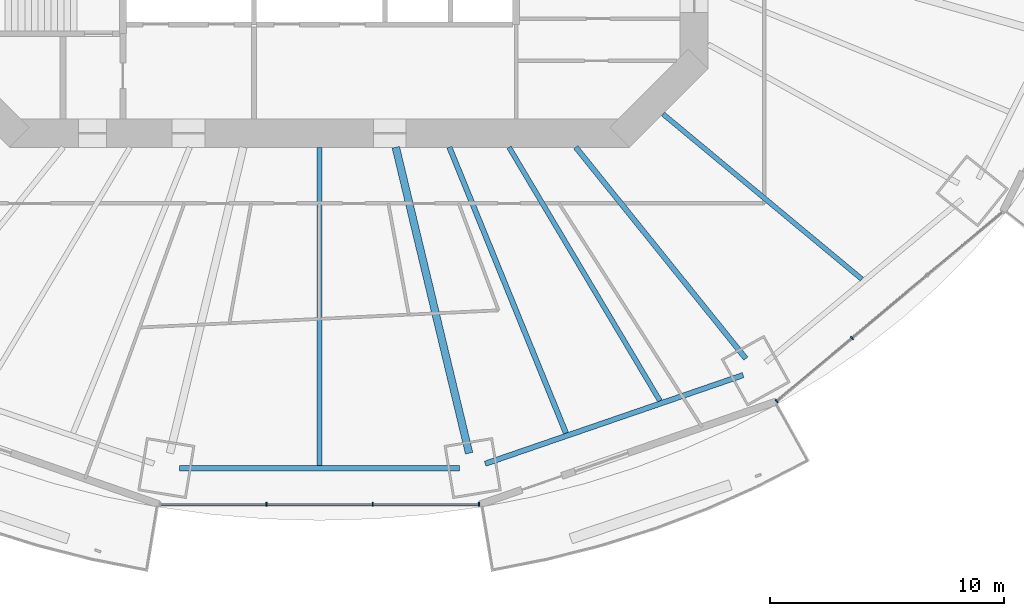
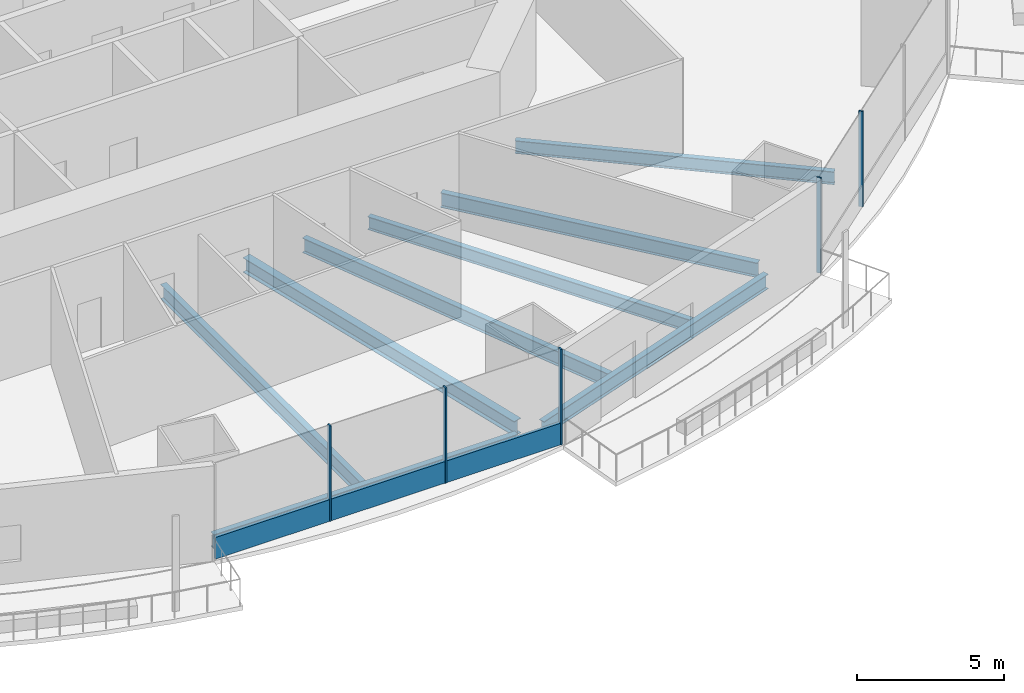
# One storey, part 4 of 22: 8 beams, 6 members, 2 elements without a shape of their own.
"""IFC4 building model written with IfcOpenShell, lengths in metres."""

from ifc_helpers import new_model, si_unit, direction, frame, origin, origin_2d, place, context, subcontext, project, spatial, rectangle, i_section, extrude, material, material_profile, profile_set, type_object, element, aggregate, save


model = new_model("IFC4")

# Units and contexts
model_context = context("Model", 3, precision=1e-05, world=origin(), true_north=direction((0.0, 1.0)))
body_context = subcontext(model_context, "Body", "Model", "MODEL_VIEW")
ifc_project = project(units=[si_unit("LENGTHUNIT", "METRE"), si_unit("AREAUNIT", "SQUARE_METRE"), si_unit("VOLUMEUNIT", "CUBIC_METRE"), si_unit("PLANEANGLEUNIT", "RADIAN"), si_unit("MASSUNIT", "GRAM", prefix="KILO")], contexts=[model_context])

# Site, building, storey
site_placement = place(None, origin())
site = spatial("IfcSite", under=ifc_project, at=site_placement, CompositionType="ELEMENT")
building_placement = place(site_placement, origin())
building = spatial("IfcBuilding", under=site, at=building_placement, Name="Marenthal Gate Tower", CompositionType="ELEMENT")
storey_placement = place(building_placement, frame((0.0, 0.0, 91.10009765625)))
storey = spatial("IfcBuildingStorey", under=building, at=storey_placement, Name="L18", CompositionType="ELEMENT", Elevation=91.10009765625)

# Curtain wall, members
ifc_material_1 = material(Name="Aluminium and glass", Category="aluminium")
curtain_wall_type = type_object("IfcCurtainWallType", Name="Curtain wall typical low", PredefinedType="NOTDEFINED", material=ifc_material_1)
curtain_wall_1_placement = place(storey_placement, origin())
curtain_wall_1 = element("IfcCurtainWall", 1, at=curtain_wall_1_placement, inside=storey, type_object=curtain_wall_type, Name="Curtain wall L18 bay 12", PredefinedType="NOTDEFINED")
ifc_material_2 = material(Name="Aluminium", Category="aluminium")
ifc_material_profile_1 = material_profile(ifc_material_2, rectangle(XDim=0.159912109375, YDim=0.06005859375, at=origin_2d()), Name="60x160 aluminium mullion")
ifc_profile_set_1 = profile_set([ifc_material_profile_1], Name="Aluminium")
member_type_1 = type_object("IfcMemberType", Name="Mullion 60x160 typical low", PredefinedType="MULLION", material=ifc_profile_set_1)
member_1_placement = place(storey_placement, frame((-2.273193359375, -28.852783203125, 0.0), z_axis=(0.0, 0.0, 1.0), x_axis=(0.0, 1.0, 0.0)))
member_1 = element("IfcMember", 2, at=member_1_placement, type_object=member_type_1, Name="Mullion L18 bay 12.2", PredefinedType="MULLION", context=body_context, shape_type="SweptSolid", body=[
    extrude(rectangle(XDim=0.159912109375, YDim=0.06005859375, at=origin_2d()), origin(), (0.0, 0.0, 1.0), 3.969970703125),
])
member_2_placement = place(storey_placement, frame((2.273193359375, -28.852783203125, 0.0), z_axis=(0.0, 0.0, 1.0), x_axis=(0.0, 1.0, 0.0)))
member_2 = element("IfcMember", 3, at=member_2_placement, type_object=member_type_1, Name="Mullion L18 bay 12.3", PredefinedType="MULLION", context=body_context, shape_type="SweptSolid", body=[
    extrude(rectangle(XDim=0.159912109375, YDim=0.06005859375, at=origin_2d()), origin(), (0.0, 0.0, 1.0), 3.969970703125),
])
member_3_placement = place(storey_placement, frame((6.81982421875, -28.852783203125, 0.0), z_axis=(0.0, 0.0, 1.0), x_axis=(0.0, 1.0, 0.0)))
member_3 = element("IfcMember", 4, at=member_3_placement, type_object=member_type_1, Name="Mullion L18 bay 12.4", PredefinedType="MULLION", context=body_context, shape_type="SweptSolid", body=[
    extrude(rectangle(XDim=0.159912109375, YDim=0.06005859375, at=origin_2d()), origin(), (0.0, 0.0, 1.0), 3.969970703125),
])

curtain_wall_2_placement = place(storey_placement, origin())
curtain_wall_2 = element("IfcCurtainWall", 5, at=curtain_wall_2_placement, inside=storey, type_object=curtain_wall_type, Name="Curtain wall L18 bay 14", PredefinedType="NOTDEFINED")
member_4_placement = place(storey_placement, frame((19.529541015625, -24.44091796875, 0.0), z_axis=(0.0, 0.0, 1.0), x_axis=(-0.642228281301, 0.766513427604, 0.0)))
member_4 = element("IfcMember", 6, at=member_4_placement, type_object=member_type_1, Name="Mullion L18 bay 14.1", PredefinedType="MULLION", context=body_context, shape_type="SweptSolid", body=[
    extrude(rectangle(XDim=0.159912109375, YDim=0.06005859375, at=origin_2d()), origin(), (0.0, 0.0, 1.0), 3.969970703125),
])
member_5_placement = place(storey_placement, frame((22.7431640625, -21.748291015625, 0.0), z_axis=(0.0, 0.0, 1.0), x_axis=(-0.642228281301, 0.766513427604, 0.0)))
member_5 = element("IfcMember", 7, at=member_5_placement, type_object=member_type_1, Name="Mullion L18 bay 14.2", PredefinedType="MULLION", context=body_context, shape_type="SweptSolid", body=[
    extrude(rectangle(XDim=0.159912109375, YDim=0.06005859375, at=origin_2d()), origin(), (0.0, 0.0, 1.0), 3.969970703125),
])
aggregate(curtain_wall_2, [member_4, member_5])

# Member
ifc_material_3 = material(Name="Aluminium", Category="aluminium")
ifc_material_profile_2 = material_profile(ifc_material_3, rectangle(XDim=0.1201171875, YDim=0.89990234375, at=origin_2d()), Name="120x900 aluminium transom")
ifc_profile_set_2 = profile_set([ifc_material_profile_2], Name="Aluminium")
member_type_2 = type_object("IfcMemberType", Name="Transom 120x900 typical low", PredefinedType="USERDEFINED", material=ifc_profile_set_2)
member_6_placement = place(storey_placement, frame((-6.789794921875, -28.852783203125, 0.449951171875), z_axis=(1.0, 0.0, 0.0), x_axis=(0.0, 1.0, 0.0)))
member_6 = element("IfcMember", 8, at=member_6_placement, type_object=member_type_2, Name="Transom L18 bay 12", ObjectType="TRANSOM", PredefinedType="USERDEFINED", context=body_context, shape_type="SweptSolid", body=[
    extrude(rectangle(XDim=0.1201171875, YDim=0.89990234375, at=origin_2d()), origin(), (0.0, 0.0, 1.0), 13.57958984375),
])

aggregate(curtain_wall_1, [member_1, member_2, member_3, member_6])

# Beams
ifc_material_4 = material(Name="Steel S355", Category="steel")
ifc_material_profile_3 = material_profile(ifc_material_4, i_section(OverallWidth=0.2099609375, OverallDepth=0.535888671875, WebThickness=0.010986328125, FlangeThickness=0.017333984375, FilletRadius=0.0126953125, at=origin_2d()), Name="W530X101")
ifc_profile_set_3 = profile_set([ifc_material_profile_3], Name="Steel S355")
beam_type_1 = type_object("IfcBeamType", Name="W530X101 beam", PredefinedType="BEAM", material=ifc_profile_set_3)
beam_1_placement = place(storey_placement, frame((23.164794921875, -19.23193359375, -0.447998046875), z_axis=(-0.769390815443, 0.638778344273, 0.0), x_axis=(-0.638778344273, -0.769390815443, 0.0)))
element("IfcBeam", 9, at=beam_1_placement, inside=storey, type_object=beam_type_1, Name="BM-L18-37", PredefinedType="BEAM", context=body_context, shape_type="SweptSolid", body=[
    extrude(i_section(OverallWidth=0.2099609375, OverallDepth=0.535888671875, WebThickness=0.010986328125, FlangeThickness=0.017333984375, FilletRadius=0.0126953125, at=origin_2d()), origin(), (0.0, 0.0, 1.0), 11.041259765625),
])
ifc_material_5 = material(Name="Steel S355", Category="steel")
ifc_material_profile_4 = material_profile(ifc_material_5, i_section(OverallWidth=0.2119140625, OverallDepth=0.5439453125, WebThickness=0.01318359375, FlangeThickness=0.021240234375, FilletRadius=0.0126953125, at=origin_2d()), Name="W530X123")
ifc_profile_set_4 = profile_set([ifc_material_profile_4], Name="Steel S355")
beam_type_2 = type_object("IfcBeamType", Name="W530X123 beam", PredefinedType="BEAM", material=ifc_profile_set_4)
beam_2_placement = place(storey_placement, frame((14.539794921875, -24.431396484375, -0.4521484375), z_axis=(-0.511416092882, 0.859333218223, 0.0), x_axis=(-0.859333218223, -0.511416092882, 0.0)))
element("IfcBeam", 10, at=beam_2_placement, inside=storey, type_object=beam_type_2, Name="BM-L18-36", PredefinedType="BEAM", context=body_context, shape_type="SweptSolid", body=[
    extrude(i_section(OverallWidth=0.2119140625, OverallDepth=0.5439453125, WebThickness=0.01318359375, FlangeThickness=0.021240234375, FilletRadius=0.0126953125, at=origin_2d()), origin(), (0.0, 0.0, 1.0), 12.604248046875),
])
ifc_material_6 = material(Name="Steel S355", Category="steel")
ifc_material_profile_5 = material_profile(ifc_material_6, i_section(OverallWidth=0.22900390625, OverallDepth=0.612060546875, WebThickness=0.011962890625, FlangeThickness=0.01953125, FilletRadius=0.0126953125, at=origin_2d()), Name="W610X125")
ifc_profile_set_5 = profile_set([ifc_material_profile_5], Name="Steel S355")
beam_type_3 = type_object("IfcBeamType", Name="W610X125 beam", PredefinedType="BEAM", material=ifc_profile_set_5)
beam_3_placement = place(storey_placement, frame((18.210693359375, -22.626708984375, -0.486083984375), z_axis=(-0.626999737325, 0.779019466634, 0.0), x_axis=(-0.779019466634, -0.626999737325, 0.0)))
element("IfcBeam", 11, at=beam_3_placement, inside=storey, type_object=beam_type_3, Name="BM-L18-14", PredefinedType="BEAM", context=body_context, shape_type="SweptSolid", body=[
    extrude(i_section(OverallWidth=0.22900390625, OverallDepth=0.612060546875, WebThickness=0.011962890625, FlangeThickness=0.01953125, FilletRadius=0.0126953125, at=origin_2d()), origin(), (0.0, 0.0, 1.0), 11.587158203125),
])
beam_4_placement = place(storey_placement, frame((0.0, -27.188720703125, -0.486083984375), z_axis=(0.0, 1.0, 0.0), x_axis=(-1.0, 0.0, 0.0)))
element("IfcBeam", 12, at=beam_4_placement, inside=storey, type_object=beam_type_3, Name="BM-L18-34", PredefinedType="BEAM", context=body_context, shape_type="SweptSolid", body=[
    extrude(i_section(OverallWidth=0.22900390625, OverallDepth=0.612060546875, WebThickness=0.011962890625, FlangeThickness=0.01953125, FilletRadius=0.0126953125, at=origin_2d()), origin(), (0.0, 0.0, 1.0), 13.588623046875),
])
beam_5_placement = place(storey_placement, frame((10.52734375, -25.811279296875, -0.486083984375), z_axis=(-0.377657332002, 0.925945430134, 0.0), x_axis=(-0.925945430134, -0.377657332002, 0.0)))
element("IfcBeam", 13, at=beam_5_placement, inside=storey, type_object=beam_type_3, Name="BM-L18-35", PredefinedType="BEAM", context=body_context, shape_type="SweptSolid", body=[
    extrude(i_section(OverallWidth=0.22900390625, OverallDepth=0.612060546875, WebThickness=0.011962890625, FlangeThickness=0.01953125, FilletRadius=0.0126953125, at=origin_2d()), origin(), (0.0, 0.0, 1.0), 13.187744140625),
])
beam_6_placement = place(storey_placement, frame((-5.977294921875, -27.302978515625, -0.486083984375), z_axis=(1.0, 0.0, 0.0), x_axis=(0.0, 1.0, 0.0)))
element("IfcBeam", 14, at=beam_6_placement, inside=storey, type_object=beam_type_3, Name="BM-L18-52", PredefinedType="BEAM", context=body_context, shape_type="SweptSolid", body=[
    extrude(i_section(OverallWidth=0.22900390625, OverallDepth=0.612060546875, WebThickness=0.011962890625, FlangeThickness=0.01953125, FilletRadius=0.0126953125, at=origin_2d()), origin(), (0.0, 0.0, 1.0), 11.95458984375),
])
beam_7_placement = place(storey_placement, frame((7.07568359375, -27.119384765625, -0.486083984375), z_axis=(0.945652773526, 0.32517815413, 0.0), x_axis=(-0.32517815413, 0.945652773526, 0.0)))
element("IfcBeam", 15, at=beam_7_placement, inside=storey, type_object=beam_type_3, Name="BM-L18-53", PredefinedType="BEAM", context=body_context, shape_type="SweptSolid", body=[
    extrude(i_section(OverallWidth=0.22900390625, OverallDepth=0.612060546875, WebThickness=0.011962890625, FlangeThickness=0.01953125, FilletRadius=0.0126953125, at=origin_2d()), origin(), (0.0, 0.0, 1.0), 11.65087890625),
])
ifc_material_7 = material(Name="Steel S355", Category="steel")
ifc_material_profile_6 = material_profile(ifc_material_7, i_section(OverallWidth=0.324951171875, OverallDepth=0.612060546875, WebThickness=0.0126953125, FlangeThickness=0.01904296875, FilletRadius=0.0126953125, at=origin_2d()), Name="W610X155")
ifc_profile_set_6 = profile_set([ifc_material_profile_6], Name="Steel S355")
beam_type_4 = type_object("IfcBeamType", Name="W610X155 beam", PredefinedType="BEAM", material=ifc_profile_set_6)
beam_8_placement = place(storey_placement, frame((6.389404296875, -26.668212890625, -0.486083984375), z_axis=(-0.233003942161, 0.972475790412, 0.0), x_axis=(-0.972475790412, -0.233003942161, 0.0)))
element("IfcBeam", 16, at=beam_8_placement, inside=storey, type_object=beam_type_4, Name="BM-L18-13", PredefinedType="BEAM", context=body_context, shape_type="SweptSolid", body=[
    extrude(i_section(OverallWidth=0.324951171875, OverallDepth=0.612060546875, WebThickness=0.0126953125, FlangeThickness=0.01904296875, FilletRadius=0.0126953125, at=origin_2d()), origin(), (0.0, 0.0, 1.0), 13.43798828125),
])

save(model, "model.ifc")
